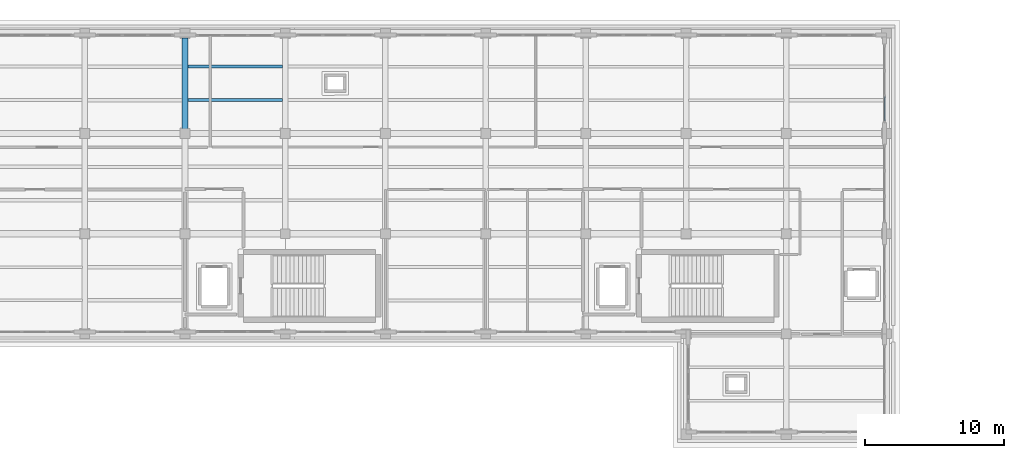
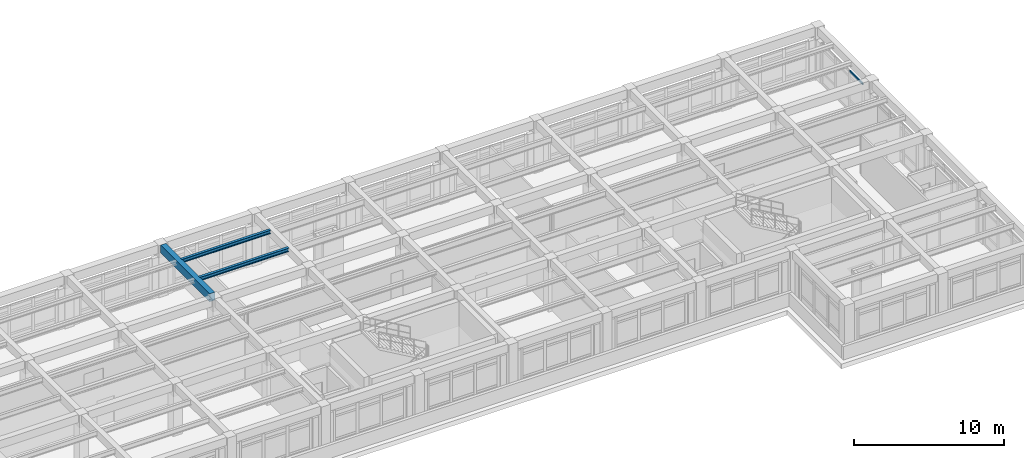
# One storey, part 28 of 64: 3 beams, 1 member, 1 element without a shape of its own.
"""IFC4 building model written with IfcOpenShell, lengths in metres."""

from ifc_helpers import new_model, si_unit, direction, frame, origin, origin_2d, place, context, subcontext, project, spatial, rectangle, i_section, extrude, material, layer, layer_set, material_profile, profile_set, type_object, element, aggregate, save


model = new_model("IFC4")

# Units and contexts
model_context = context("Model", 3, precision=1e-05, world=origin(), true_north=direction((0.0, 1.0)))
body_context = subcontext(model_context, "Body", "Model", "MODEL_VIEW")
ifc_project = project(units=[si_unit("LENGTHUNIT", "METRE"), si_unit("AREAUNIT", "SQUARE_METRE"), si_unit("VOLUMEUNIT", "CUBIC_METRE"), si_unit("PLANEANGLEUNIT", "RADIAN"), si_unit("MASSUNIT", "GRAM", prefix="KILO")], contexts=[model_context])

# Site, building, storey
site_placement = place(None, origin())
site = spatial("IfcSite", under=ifc_project, at=site_placement, CompositionType="ELEMENT")
building_placement = place(site_placement, origin())
building = spatial("IfcBuilding", under=site, at=building_placement, Name="Solenvale Faculty of Natural Sciences", CompositionType="ELEMENT")
storey_placement = place(building_placement, frame((0.0, 0.0, 18.0)))
storey = spatial("IfcBuildingStorey", under=building, at=storey_placement, Name="L04", CompositionType="ELEMENT", Elevation=18.0)

# Beams
ifc_material_1 = material(Name="Concrete 40 MPa", Category="concrete")
ifc_material_profile_1 = material_profile(ifc_material_1, rectangle(XDim=0.39990234375, YDim=0.64990234375, at=origin_2d()), Name="RC-BM-400x650")
ifc_profile_set_1 = profile_set([ifc_material_profile_1], Name="Concrete 40 MPa")
beam_type_1 = type_object("IfcBeamType", Name="BM-RC-400x650", PredefinedType="BEAM", material=ifc_profile_set_1)
beam_placement = place(storey_placement, frame((100.800048828125, 108.330078125, 3.89501953125), z_axis=(0.0, 1.0, 0.0), x_axis=(-1.0, 0.0, 0.0)))
element("IfcBeam", 1, at=beam_placement, inside=storey, type_object=beam_type_1, Name="L04 Y-Girder X100.8 (108.0..115.2)", PredefinedType="BEAM", context=body_context, shape_type="SweptSolid", body=[
    extrude(rectangle(XDim=0.39990234375, YDim=0.64990234375, at=origin_2d()), origin(), (0.0, 0.0, 1.0), 6.5400390625),
])
ifc_material_2 = material(Name="Steel S355", Category="steel")
ifc_material_profile_2 = material_profile(ifc_material_2, i_section(OverallWidth=0.202880859375, OverallDepth=0.302978515625, WebThickness=0.007568359375, FlangeThickness=0.01318359375, FilletRadius=0.014892578125, at=origin_2d()), Name="W310x60")
ifc_profile_set_2 = profile_set([ifc_material_profile_2], Name="Steel S355")
beam_type_2 = type_object("IfcBeamType", Name="BM-STL-W310x60", PredefinedType="JOIST", material=ifc_profile_set_2)
for number, where, z_axis, x_axis, name in (
    (2, (100.97998046875, 110.39990234375, 4.068603515625), (1.0, 0.0, 0.0), (0.0, 1.0, 0.0), "L04 Composite Floor Joist (15,16).1"),
    (3, (100.97998046875, 112.800048828125, 4.068603515625), (1.0, 0.0, 0.0), (0.0, 1.0, 0.0), "L04 Composite Floor Joist (15,16).2"),
):
    element("IfcBeam", number, at=place(storey_placement, frame(where, z_axis=z_axis, x_axis=x_axis)), inside=storey, type_object=beam_type_2, Name=name, PredefinedType="JOIST", context=body_context, shape_type="SweptSolid", body=[
        extrude(i_section(OverallWidth=0.202880859375, OverallDepth=0.302978515625, WebThickness=0.007568359375, FlangeThickness=0.01318359375, FilletRadius=0.014892578125, at=origin_2d()), origin(), (0.0, 0.0, 1.0), 6.840087890625),
    ])

# Curtain wall, member
ifc_material_3 = material(Name="Anodised bronze aluminium", Category="aluminium")
ifc_layer = layer(ifc_material_3, 0.179931640625)
ifc_layer_set = layer_set([ifc_layer], Name="Anodised bronze aluminium")
curtain_wall_type = type_object("IfcCurtainWallType", Name="CW-TWR-MOD", PredefinedType="USERDEFINED", material=ifc_layer_set)
curtain_wall_placement = place(storey_placement, origin())
curtain_wall = element("IfcCurtainWall", 4, at=curtain_wall_placement, inside=storey, type_object=curtain_wall_type, Name="L04 Curtain Wall CW-L04-P3-E3-B3", ObjectType="UNITISED CURTAIN WALL", PredefinedType="USERDEFINED")
ifc_material_profile_3 = material_profile(ifc_material_3, rectangle(XDim=0.074951171875, YDim=0.155029296875, at=origin_2d()), Name="ALU-TRN-75x155")
ifc_profile_set_3 = profile_set([ifc_material_profile_3], Name="Anodised bronze aluminium")
member_type = type_object("IfcMemberType", Name="CWT-ALU-75x155", PredefinedType="USERDEFINED", material=ifc_profile_set_3)
member_placement = place(storey_placement, frame((151.0576171875, 108.925048828125, 3.222412109375), z_axis=(0.0, 1.0, 0.0), x_axis=(-1.0, 0.0, 0.0)))
member = element("IfcMember", 5, at=member_placement, type_object=member_type, Name="CW-04 transom 1.4", ObjectType="TRANSOM", PredefinedType="USERDEFINED", context=body_context, shape_type="SweptSolid", body=[
    extrude(rectangle(XDim=0.074951171875, YDim=0.155029296875, at=origin_2d()), origin(), (0.0, 0.0, 1.0), 1.720703125),
])
aggregate(curtain_wall, [member])

save(model, "model.ifc")
